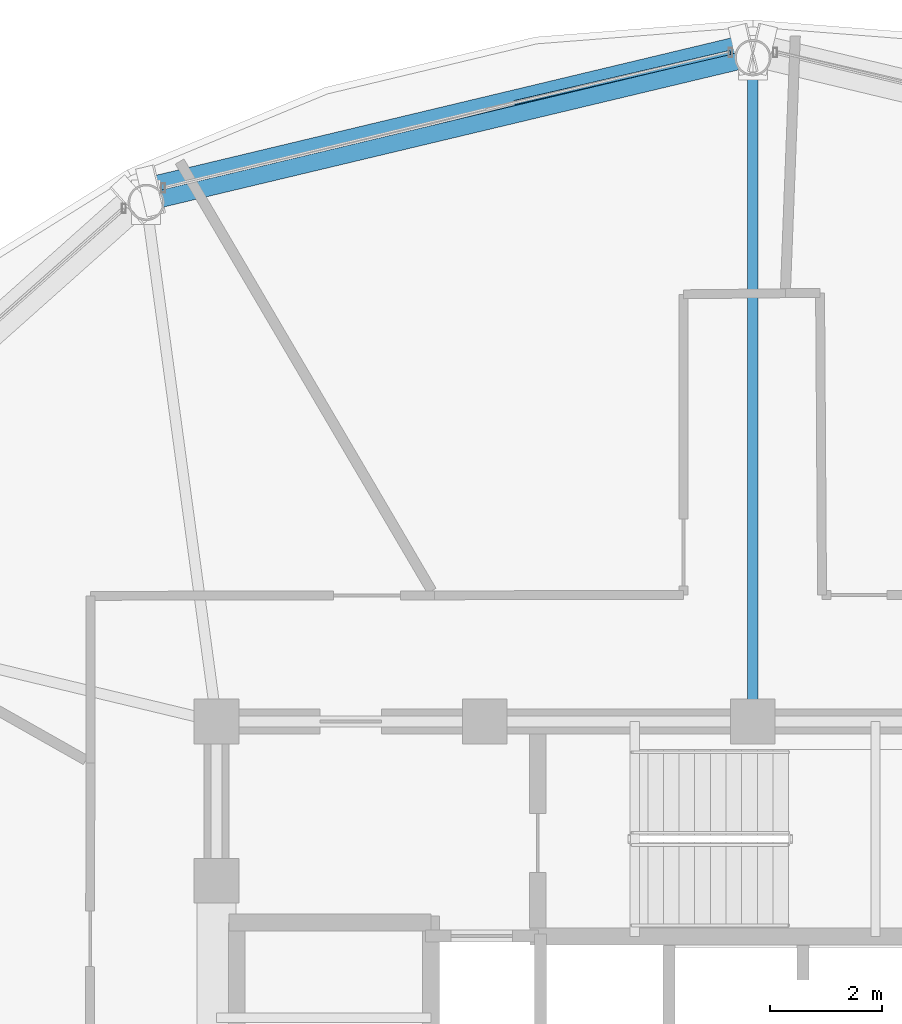
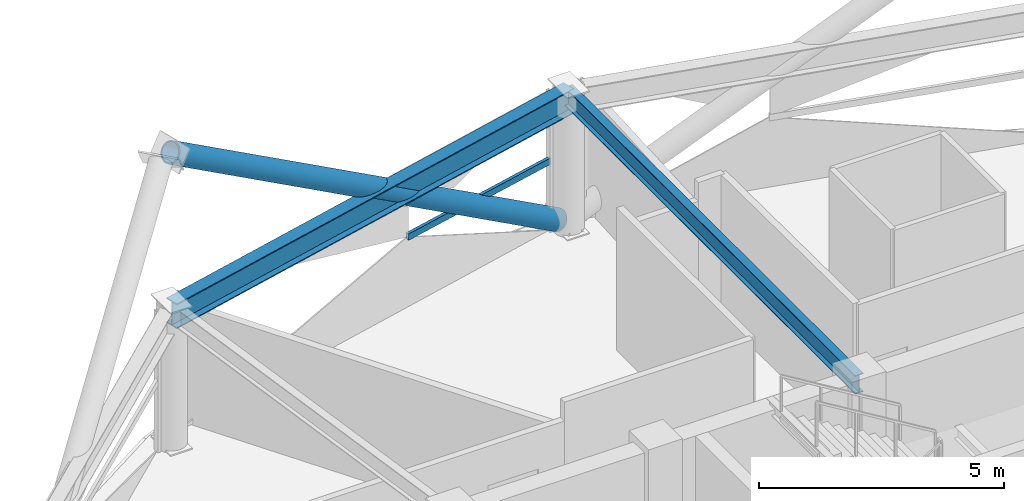
# One storey, part 17 of 29: 2 beams, 2 members, 1 element without a shape of its own.
"""IFC4 building model written with IfcOpenShell, lengths in metres."""

from ifc_helpers import new_model, si_unit, direction, frame, origin, origin_2d, place, context, subcontext, project, spatial, hollow_rectangle, hollow_circle, i_section, extrude, material, layer, layer_set, material_profile, profile_set, type_object, element, aggregate, save


model = new_model("IFC4")

# Units and contexts
model_context = context("Model", 3, precision=1e-05, world=origin(), true_north=direction((0.0, 1.0)))
body_context = subcontext(model_context, "Body", "Model", "MODEL_VIEW")
ifc_project = project(units=[si_unit("LENGTHUNIT", "METRE"), si_unit("AREAUNIT", "SQUARE_METRE"), si_unit("VOLUMEUNIT", "CUBIC_METRE"), si_unit("PLANEANGLEUNIT", "RADIAN"), si_unit("MASSUNIT", "GRAM", prefix="KILO")], contexts=[model_context])

# Site, building, storey
site_placement = place(None, origin())
site = spatial("IfcSite", under=ifc_project, at=site_placement, CompositionType="ELEMENT")
building_placement = place(site_placement, origin())
building = spatial("IfcBuilding", under=site, at=building_placement, Name="Vantalir Tower", CompositionType="ELEMENT")
storey_placement = place(building_placement, frame((0.0, 0.0, 234.89990234375)))
storey = spatial("IfcBuildingStorey", under=building, at=storey_placement, Name="L59", CompositionType="ELEMENT", Elevation=234.89990234375)

# Beams
ifc_material_1 = material(Name="Steel S355", Category="steel")
ifc_material_profile_1 = material_profile(ifc_material_1, i_section(OverallWidth=0.19189453125, OverallDepth=0.462890625, WebThickness=0.010498046875, FlangeThickness=0.017578125, at=origin_2d()), Name="Steel S355")
ifc_profile_set_1 = profile_set([ifc_material_profile_1], Name="Steel S355")
beam_type_1 = type_object("IfcBeamType", Name="BM-RB-457x191", PredefinedType="BEAM", material=ifc_profile_set_1)
beam_1_placement = place(storey_placement, frame((31.5, 44.3330078125, 3.338134765625), z_axis=(0.0, -1.0, 0.0), x_axis=(1.0, 0.0, 0.0)))
element("IfcBeam", 1, at=beam_1_placement, inside=storey, type_object=beam_type_1, Name="L59 Radial Floor Beam 04", PredefinedType="BEAM", context=body_context, shape_type="SweptSolid", body=[
    extrude(i_section(OverallWidth=0.19189453125, OverallDepth=0.462890625, WebThickness=0.010498046875, FlangeThickness=0.017578125, at=origin_2d()), origin(), (0.0, 0.0, 1.0), 11.883056640625),
])
ifc_material_2 = material(Name="Steel S460", Category="steel")
ifc_material_profile_2 = material_profile(ifc_material_2, i_section(OverallWidth=0.306884765625, OverallDepth=0.6201171875, WebThickness=0.01416015625, FlangeThickness=0.023681640625, at=origin_2d()), Name="Steel S460")
ifc_profile_set_2 = profile_set([ifc_material_profile_2], Name="Steel S460")
beam_type_2 = type_object("IfcBeamType", Name="BM-RG-610x305", PredefinedType="USERDEFINED", material=ifc_profile_set_2)
beam_2_placement = place(storey_placement, frame((31.5, 44.3330078125, 3.260009765625), z_axis=(-0.97271250926, -0.23201373737, 0.0), x_axis=(0.23201373737, -0.97271250926, 0.0)))
element("IfcBeam", 2, at=beam_2_placement, inside=storey, type_object=beam_type_2, Name="L59 Circumferential Ring Girder 04", ObjectType="GIRDER", PredefinedType="USERDEFINED", context=body_context, shape_type="SweptSolid", body=[
    extrude(i_section(OverallWidth=0.306884765625, OverallDepth=0.6201171875, WebThickness=0.01416015625, FlangeThickness=0.023681640625, at=origin_2d()), origin(), (0.0, 0.0, 1.0), 11.16357421875),
])

# Curtain wall, member
ifc_material_3 = material(Name="Champagne-silver PVDF aluminium and double-silver Low-E glass", Category="aluminium")
ifc_layer = layer(ifc_material_3, 0.2099609375)
ifc_layer_set = layer_set([ifc_layer], Name="Champagne-silver PVDF aluminium and double-silver Low-E glass")
curtain_wall_type = type_object("IfcCurtainWallType", Name="CW-DIAMOND-Z3", PredefinedType="USERDEFINED", material=ifc_layer_set)
curtain_wall_placement = place(storey_placement, origin())
curtain_wall = element("IfcCurtainWall", 3, at=curtain_wall_placement, inside=storey, type_object=curtain_wall_type, Name="L59 Quilted Pyramid-Diamond Curtain Wall S04", ObjectType="UNITISED CURTAIN WALL", PredefinedType="USERDEFINED")
ifc_material_4 = material(Name="Champagne-silver PVDF aluminium 6063-T6", Category="aluminium")
ifc_material_profile_3 = material_profile(ifc_material_4, hollow_rectangle(XDim=0.074951171875, YDim=0.159912109375, WallThickness=0.00390625, at=origin_2d()), Name="Champagne-silver PVDF aluminium 6063-T6")
ifc_profile_set_3 = profile_set([ifc_material_profile_3], Name="Champagne-silver PVDF aluminium 6063-T6")
member_type_1 = type_object("IfcMemberType", Name="CWT-160x75", PredefinedType="USERDEFINED", material=ifc_profile_set_3)
member_1_placement = place(storey_placement, frame((31.10107421875, 44.427978515625, 1.78515625), z_axis=(-0.974002975998, -0.226535213039, 0.0), x_axis=(0.226535213039, -0.974002975998, 0.0)))
member_1 = element("IfcMember", 4, at=member_1_placement, type_object=member_type_1, Name="CW-L59-S04 Pyramid Fold Ridge Transom", ObjectType="TRANSOM", PredefinedType="USERDEFINED", context=body_context, shape_type="SweptSolid", body=[
    extrude(hollow_rectangle(XDim=0.074951171875, YDim=0.159912109375, WallThickness=0.00390625, at=origin_2d()), origin(), (0.0, 0.0, 1.0), 3.96826171875),
])
aggregate(curtain_wall, [member_1])

# Member
ifc_material_profile_4 = material_profile(ifc_material_2, hollow_circle(Radius=0.25, WallThickness=0.031982421875, at=origin_2d()), Name="Steel S460")
ifc_profile_set_4 = profile_set([ifc_material_profile_4], Name="Steel S460")
member_type_2 = type_object("IfcMemberType", Name="MEM-DB-500x32", PredefinedType="BRACE", material=ifc_profile_set_4)
member_2_placement = place(storey_placement, frame((31.319091796875, 44.47998046875, 0.197998046875), z_axis=(-0.820779852359, -0.196052589835, 0.536548055612), x_axis=(0.232325647217, -0.972638058913, 0.0)))
element("IfcMember", 5, at=member_2_placement, inside=storey, type_object=member_type_2, Name="L59 Perimeter S460 Diagrid Brace R10L", PredefinedType="BRACE", context=body_context, shape_type="SweptSolid", body=[
    extrude(hollow_circle(Radius=0.25, WallThickness=0.031982421875, at=origin_2d()), origin(), (0.0, 0.0, 1.0), 12.90478515625),
])

save(model, "model.ifc")
